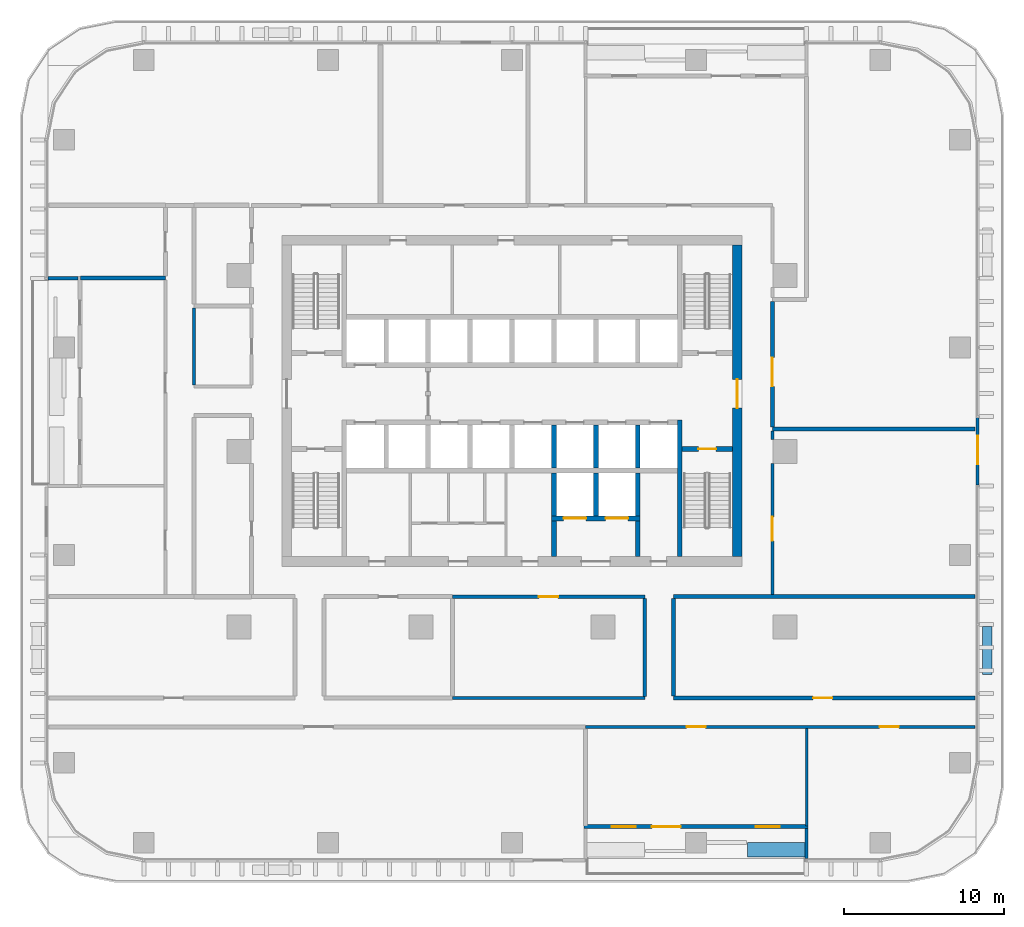
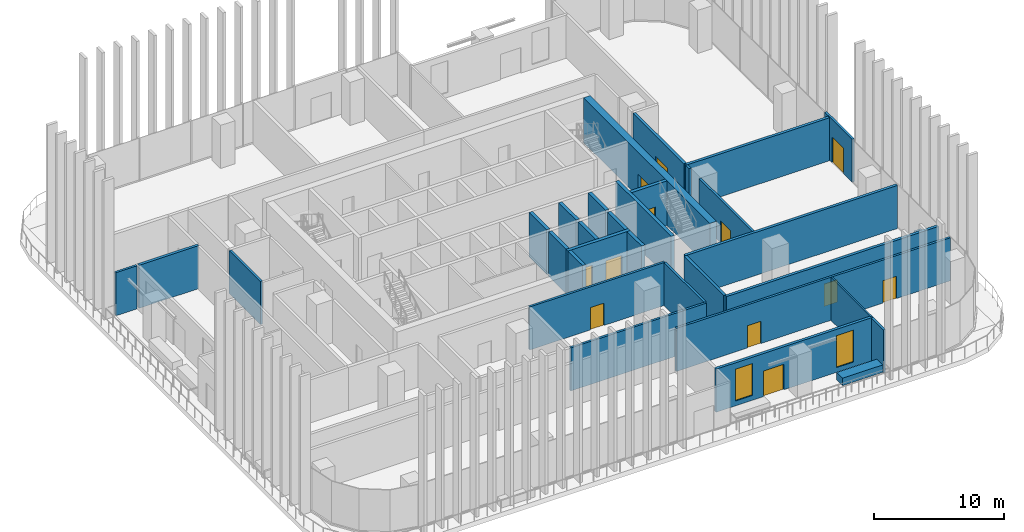
# One storey, part 9 of 18: 32 walls, 12 doors, 2 windows, 14 openings.
"""IFC4 building model written with IfcOpenShell, lengths in metres."""

from ifc_helpers import new_model, si_unit, direction, frame, frame_2d, origin, place, context, subcontext, project, spatial, rectangle, extrude, material, layer, layer_set, type_object, element, fill, save


model = new_model("IFC4")

# Units and contexts
model_context = context("Model", 3, precision=1e-05, world=origin(), true_north=direction((0.0, 1.0)))
body_context = subcontext(model_context, "Body", "Model", "MODEL_VIEW")
ifc_project = project(units=[si_unit("LENGTHUNIT", "METRE"), si_unit("AREAUNIT", "SQUARE_METRE"), si_unit("VOLUMEUNIT", "CUBIC_METRE"), si_unit("PLANEANGLEUNIT", "RADIAN"), si_unit("MASSUNIT", "GRAM", prefix="KILO")], contexts=[model_context])

# Site, building, storey
site_placement = place(None, origin())
site = spatial("IfcSite", under=ifc_project, at=site_placement, CompositionType="ELEMENT")
building_placement = place(site_placement, origin())
building = spatial("IfcBuilding", under=site, at=building_placement, Name="Mopane Tessera Tower", CompositionType="ELEMENT")
storey_placement = place(building_placement, frame((0.0, 0.0, 94.60009765625)))
storey = spatial("IfcBuildingStorey", under=building, at=storey_placement, Name="L18", CompositionType="ELEMENT", Elevation=94.60009765625)

# Wall, opening, door
ifc_material_1 = material(Name="Concrete C70/85", Category="concrete")
ifc_layer_1 = layer(ifc_material_1, 0.60009765625)
ifc_layer_set_1 = layer_set([ifc_layer_1], Name="Concrete C70/85")
wall_type_1 = type_object("IfcWallType", Name="Core shear wall 600 mm", PredefinedType="SHEAR", material=ifc_layer_set_1)
wall_1_placement = place(storey_placement, frame((14.10009765625, -6.60009765625, 0.0), z_axis=(0.0, 0.0, 1.0), x_axis=(0.0, 1.0, 0.0)))
wall_1 = element("IfcWall", 1, at=wall_1_placement, inside=storey, type_object=wall_type_1, Name="L18 Core wall east", PredefinedType="SHEAR", context=body_context, shape_type="SweptSolid", body=[
    extrude(rectangle(XDim=19.5, YDim=0.60009765625, at=frame_2d((9.75, 0.0))), origin(), (0.0, 0.0, 1.0), 4.199951171875),
])
opening_1_placement = place(wall_1_placement, frame((9.300048828125, 0.0, 0.0)))
opening_1 = element("IfcOpeningElement", 2, at=opening_1_placement, cuts=wall_1, Name="Opening SD2", PredefinedType="OPENING", context=body_context, shape_type="SweptSolid", body=[
    extrude(rectangle(XDim=1.800048828125, YDim=2.10009765625, at=frame_2d((0.89990234375, 1.050048828125))), frame((0.0, 0.31201171875, 0.0), z_axis=(0.0, -1.0, 0.0), x_axis=(1.0, 0.0, 0.0)), (0.0, 0.0, 1.0), 0.6240234375),
])
ifc_material_2 = material(Name="Steel fire door", Category="steel")
door_type_1 = type_object("IfcDoorType", Name="Core entrance double door 1800 x 2100", OperationType="DOUBLE_DOOR_SINGLE_SWING", PredefinedType="DOOR", material=ifc_material_2)
door_1_placement = place(opening_1_placement, origin())
door_1 = element("IfcDoor", 3, at=door_1_placement, inside=storey, type_object=door_type_1, Name="L18 Core entrance door east", OperationType="DOUBLE_DOOR_SINGLE_SWING", OverallHeight=2.10009765625, OverallWidth=1.800048828125, PredefinedType="DOOR", context=body_context, shape_type="SweptSolid", body=[
    extrude(rectangle(XDim=1.800048828125, YDim=2.10009765625, at=frame_2d((0.89990234375, 1.050048828125))), frame((0.0, 0.02490234375, 0.0), z_axis=(0.0, -1.0, 0.0), x_axis=(1.0, 0.0, 0.0)), (0.0, 0.0, 1.0), 0.050048828125),
])
fill(opening_1, door_1)

# Wall
ifc_material_3 = material(Name="Concrete C60/75", Category="concrete")
ifc_layer_2 = layer(ifc_material_3, 0.300048828125)
ifc_layer_set_2 = layer_set([ifc_layer_2], Name="Concrete C60/75")
wall_type_2 = type_object("IfcWallType", Name="Core spine wall 300 mm", PredefinedType="SHEAR", material=ifc_layer_set_2)
wall_2_placement = place(storey_placement, frame((10.5, -6.60009765625, 0.0), z_axis=(0.0, 0.0, 1.0), x_axis=(0.0, 1.0, 0.0)))
element("IfcWall", 4, at=wall_2_placement, inside=storey, type_object=wall_type_2, Name="L18 Core spine wall", PredefinedType="SHEAR", context=body_context, shape_type="SweptSolid", body=[
    extrude(rectangle(XDim=8.550048828125, YDim=0.300048828125, at=frame_2d((4.27490234375, 0.0))), origin(), (0.0, 0.0, 1.0), 4.199951171875),
])

# Wall, openings, doors
ifc_material_4 = material(Name="Gypsum board on steel studs, two layers each face, mineral wool infill", Category="steel")
ifc_layer_3 = layer(ifc_material_4, 0.199951171875)
ifc_layer_set_3 = layer_set([ifc_layer_3], Name="Gypsum board on steel studs, two layers each face, mineral wool infill")
wall_type_3 = type_object("IfcWallType", Name="Gypsum board corridor wall 200, rated EI 60", PredefinedType="PARTITIONING", material=ifc_layer_set_3)
wall_3_placement = place(storey_placement, frame((4.610107421875, -17.25, 0.0), z_axis=(0.0, 0.0, 1.0), x_axis=(1.0, 0.0, 0.0)))
wall_3 = element("IfcWall", 5, at=wall_3_placement, inside=storey, type_object=wall_type_3, Name="Partition L18:000", PredefinedType="PARTITIONING", context=body_context, shape_type="SweptSolid", body=[
    extrude(rectangle(XDim=24.389892578125, YDim=0.199951171875, at=frame_2d((12.19482421875, 0.0))), origin(), (0.0, 0.0, 1.0), 4.0498046875),
])
opening_2_placement = place(wall_3_placement, frame((6.31494140625, 0.0, 0.0)))
opening_2 = element("IfcOpeningElement", 6, at=opening_2_placement, cuts=wall_3, Name="Opening L18-16", PredefinedType="OPENING", context=body_context, shape_type="SweptSolid", body=[
    extrude(rectangle(XDim=1.199951171875, YDim=2.10009765625, at=frame_2d((0.60009765625, 1.050048828125))), frame((0.0, 0.112060546875, 0.0), z_axis=(0.0, -1.0, 0.0), x_axis=(1.0, 0.0, 0.0)), (0.0, 0.0, 1.0), 0.223876953125),
])
opening_3_placement = place(wall_3_placement, frame((18.409912109375, 0.0, 0.0)))
opening_3 = element("IfcOpeningElement", 7, at=opening_3_placement, cuts=wall_3, Name="Opening L18-19", PredefinedType="OPENING", context=body_context, shape_type="SweptSolid", body=[
    extrude(rectangle(XDim=1.199951171875, YDim=2.10009765625, at=frame_2d((0.60009765625, 1.050048828125))), frame((0.0, 0.112060546875, 0.0), z_axis=(0.0, -1.0, 0.0), x_axis=(1.0, 0.0, 0.0)), (0.0, 0.0, 1.0), 0.223876953125),
])
ifc_material_5 = material(Name="Timber veneered steel-framed fire door", Category="steel")
door_type_2 = type_object("IfcDoorType", Name="Fire door FD60 1200 x 2100", OperationType="SINGLE_SWING_LEFT", PredefinedType="DOOR", material=ifc_material_5)
door_2_placement = place(opening_2_placement, origin())
door_2 = element("IfcDoor", 8, at=door_2_placement, inside=storey, type_object=door_type_2, Name="Door L18-16", ObjectType="D15A", OperationType="SINGLE_SWING_RIGHT", OverallHeight=2.10009765625, OverallWidth=1.199951171875, PredefinedType="DOOR", context=body_context, shape_type="SweptSolid", body=[
    extrude(rectangle(XDim=1.199951171875, YDim=2.10009765625, at=frame_2d((0.60009765625, 1.050048828125))), frame((0.0, 0.02490234375, 0.0), z_axis=(0.0, -1.0, 0.0), x_axis=(1.0, 0.0, 0.0)), (0.0, 0.0, 1.0), 0.050048828125),
])
fill(opening_2, door_2)
door_3_placement = place(opening_3_placement, origin())
door_3 = element("IfcDoor", 9, at=door_3_placement, inside=storey, type_object=door_type_2, Name="Door L18-19", ObjectType="D15A", OperationType="SINGLE_SWING_LEFT", OverallHeight=2.10009765625, OverallWidth=1.199951171875, PredefinedType="DOOR", context=body_context, shape_type="SweptSolid", body=[
    extrude(rectangle(XDim=1.199951171875, YDim=2.10009765625, at=frame_2d((0.60009765625, 1.050048828125))), frame((0.0, 0.02490234375, 0.0), z_axis=(0.0, -1.0, 0.0), x_axis=(1.0, 0.0, 0.0)), (0.0, 0.0, 1.0), 0.050048828125),
])
fill(opening_3, door_3)

# Wall
wall_4_placement = place(storey_placement, frame((-3.735107421875, -15.449951171875, 0.0), z_axis=(0.0, 0.0, 1.0), x_axis=(1.0, 0.0, 0.0)))
element("IfcWall", 10, at=wall_4_placement, inside=storey, type_object=wall_type_3, Name="Partition L18:002", PredefinedType="PARTITIONING", context=body_context, shape_type="SweptSolid", body=[
    extrude(rectangle(XDim=12.050048828125, YDim=0.199951171875, at=frame_2d((6.02490234375, 0.0))), origin(), (0.0, 0.0, 1.0), 4.0498046875),
])

# Wall, opening, door
wall_5_placement = place(storey_placement, frame((-3.735107421875, -9.10009765625, 0.0), z_axis=(0.0, 0.0, 1.0), x_axis=(1.0, 0.0, 0.0)))
wall_5 = element("IfcWall", 11, at=wall_5_placement, inside=storey, type_object=wall_type_3, Name="Partition L18:006", PredefinedType="PARTITIONING", context=body_context, shape_type="SweptSolid", body=[
    extrude(rectangle(XDim=12.050048828125, YDim=0.199951171875, at=frame_2d((6.02490234375, 0.0))), origin(), (0.0, 0.0, 1.0), 4.0498046875),
])
opening_4_placement = place(wall_5_placement, frame((5.425048828125, 0.0, 0.0)))
opening_4 = element("IfcOpeningElement", 12, at=opening_4_placement, cuts=wall_5, Name="Opening L18-11", PredefinedType="OPENING", context=body_context, shape_type="SweptSolid", body=[
    extrude(rectangle(XDim=1.199951171875, YDim=2.10009765625, at=frame_2d((0.60009765625, 1.050048828125))), frame((0.0, 0.112060546875, 0.0), z_axis=(0.0, -1.0, 0.0), x_axis=(1.0, 0.0, 0.0)), (0.0, 0.0, 1.0), 0.223876953125),
])
door_4_placement = place(opening_4_placement, origin())
door_4 = element("IfcDoor", 13, at=door_4_placement, inside=storey, type_object=door_type_2, Name="Door L18-11", ObjectType="D15A", OperationType="SINGLE_SWING_LEFT", OverallHeight=2.10009765625, OverallWidth=1.199951171875, PredefinedType="DOOR", context=body_context, shape_type="SweptSolid", body=[
    extrude(rectangle(XDim=1.199951171875, YDim=2.10009765625, at=frame_2d((0.60009765625, 1.050048828125))), frame((0.0, 0.02490234375, 0.0), z_axis=(0.0, -1.0, 0.0), x_axis=(1.0, 0.0, 0.0)), (0.0, 0.0, 1.0), 0.050048828125),
])
fill(opening_4, door_4)

# Walls
wall_6_placement = place(storey_placement, frame((-19.89990234375, 4.14990234375, 0.0), z_axis=(0.0, 0.0, 1.0), x_axis=(0.0, 1.0, 0.0)))
element("IfcWall", 14, at=wall_6_placement, inside=storey, type_object=wall_type_3, Name="Partition L18:026", PredefinedType="PARTITIONING", context=body_context, shape_type="SweptSolid", body=[
    extrude(rectangle(XDim=4.81005859375, YDim=0.199951171875, at=frame_2d((2.405029296875, 0.0))), origin(), (0.0, 0.0, 1.0), 4.0498046875),
])
wall_7_placement = place(storey_placement, frame((8.31494140625, -15.35009765625, 0.0), z_axis=(0.0, 0.0, 1.0), x_axis=(0.0, 1.0, 0.0)))
element("IfcWall", 15, at=wall_7_placement, inside=storey, type_object=wall_type_3, Name="Partition L18:041", PredefinedType="PARTITIONING", context=body_context, shape_type="SweptSolid", body=[
    extrude(rectangle(XDim=6.150146484375, YDim=0.199951171875, at=frame_2d((3.0751953125, 0.0))), origin(), (0.0, 0.0, 1.0), 4.0498046875),
])

# Wall, opening, door
wall_8_placement = place(storey_placement, frame((16.300048828125, -8.97509765625, 0.0), z_axis=(0.0, 0.0, 1.0), x_axis=(0.0, 1.0, 0.0)))
wall_8 = element("IfcWall", 16, at=wall_8_placement, inside=storey, type_object=wall_type_3, Name="Partition L18:043", PredefinedType="PARTITIONING", context=body_context, shape_type="SweptSolid", body=[
    extrude(rectangle(XDim=8.22509765625, YDim=0.199951171875, at=frame_2d((4.112548828125, 0.0))), origin(), (0.0, 0.0, 1.0), 4.0498046875),
])
opening_5_placement = place(wall_8_placement, frame((3.362548828125, 0.0, 0.0)))
opening_5 = element("IfcOpeningElement", 17, at=opening_5_placement, cuts=wall_8, Name="Opening L18-18", PredefinedType="OPENING", context=body_context, shape_type="SweptSolid", body=[
    extrude(rectangle(XDim=1.5, YDim=2.10009765625, at=frame_2d((0.75, 1.050048828125))), frame((0.0, 0.112060546875, 0.0), z_axis=(0.0, -1.0, 0.0), x_axis=(1.0, 0.0, 0.0)), (0.0, 0.0, 1.0), 0.223876953125),
])
ifc_material_6 = material(Name="Timber veneered steel-framed fire door", Category="steel")
door_type_3 = type_object("IfcDoorType", Name="Fire door pair FD60 1500 x 2100", OperationType="DOUBLE_DOOR_SINGLE_SWING", PredefinedType="DOOR", material=ifc_material_6)
door_5_placement = place(opening_5_placement, origin())
door_5 = element("IfcDoor", 18, at=door_5_placement, inside=storey, type_object=door_type_3, Name="Door L18-18", ObjectType="D17A", OperationType="DOUBLE_DOOR_SINGLE_SWING", OverallHeight=2.10009765625, OverallWidth=1.5, PredefinedType="DOOR", context=body_context, shape_type="SweptSolid", body=[
    extrude(rectangle(XDim=1.5, YDim=2.10009765625, at=frame_2d((0.75, 1.050048828125))), frame((0.0, 0.02490234375, 0.0), z_axis=(0.0, -1.0, 0.0), x_axis=(1.0, 0.0, 0.0)), (0.0, 0.0, 1.0), 0.050048828125),
])
fill(opening_5, door_5)

# Walls
wall_9_placement = place(storey_placement, frame((16.300048828125, 0.75, 0.0), z_axis=(0.0, 0.0, 1.0), x_axis=(0.0, 1.0, 0.0)))
element("IfcWall", 19, at=wall_9_placement, inside=storey, type_object=wall_type_3, Name="Partition L18:044", PredefinedType="PARTITIONING", context=body_context, shape_type="SweptSolid", body=[
    extrude(rectangle(XDim=0.52490234375, YDim=0.199951171875, at=frame_2d((0.262451171875, 0.0))), origin(), (0.0, 0.0, 1.0), 4.0498046875),
])
ifc_material_7 = material(Name="Gypsum board on steel studs, mineral wool infill", Category="steel")
ifc_layer_4 = layer(ifc_material_7, 0.14990234375)
ifc_layer_set_4 = layer_set([ifc_layer_4], Name="Gypsum board on steel studs, mineral wool infill")
wall_type_4 = type_object("IfcWallType", Name="Gypsum board partition 150, rated EI 60", PredefinedType="PARTITIONING", material=ifc_layer_set_4)
wall_10_placement = place(storey_placement, frame((18.43994140625, -23.449951171875, 0.0), z_axis=(0.0, 0.0, 1.0), x_axis=(0.0, 1.0, 0.0)))
element("IfcWall", 20, at=wall_10_placement, inside=storey, type_object=wall_type_4, Name="Partition L18:048", PredefinedType="PARTITIONING", context=body_context, shape_type="SweptSolid", body=[
    extrude(rectangle(XDim=6.099853515625, YDim=0.14990234375, at=frame_2d((3.0498046875, 0.0))), origin(), (0.0, 0.0, 1.0), 4.0498046875),
])

# Wall, opening, door
ifc_material_8 = material(Name="Concrete C50/60", Category="concrete")
ifc_layer_5 = layer(ifc_material_8, 0.300048828125)
ifc_layer_set_5 = layer_set([ifc_layer_5], Name="Concrete C50/60")
wall_type_5 = type_object("IfcWallType", Name="Lift and stair shaft wall 300 mm", PredefinedType="SOLIDWALL", material=ifc_layer_set_5)
wall_11_placement = place(storey_placement, frame((10.64990234375, 0.14990234375, 0.0), z_axis=(0.0, 0.0, 1.0), x_axis=(1.0, 0.0, 0.0)))
wall_11 = element("IfcWall", 21, at=wall_11_placement, inside=storey, type_object=wall_type_5, Name="L18 Stair enclosure wall", PredefinedType="SOLIDWALL", context=body_context, shape_type="SweptSolid", body=[
    extrude(rectangle(XDim=3.150146484375, YDim=0.300048828125, at=frame_2d((1.5751953125, 0.0))), origin(), (0.0, 0.0, 1.0), 4.199951171875),
])
opening_6_placement = place(wall_11_placement, frame((1.02490234375, 0.0, 0.0)))
opening_6 = element("IfcOpeningElement", 22, at=opening_6_placement, cuts=wall_11, Name="Opening SD1", PredefinedType="OPENING", context=body_context, shape_type="SweptSolid", body=[
    extrude(rectangle(XDim=1.10009765625, YDim=2.10009765625, at=frame_2d((0.550048828125, 1.050048828125))), frame((0.0, 0.162109375, 0.0), z_axis=(0.0, -1.0, 0.0), x_axis=(1.0, 0.0, 0.0)), (0.0, 0.0, 1.0), 0.323974609375),
])
ifc_material_9 = material(Name="Steel fire door", Category="steel")
door_type_4 = type_object("IfcDoorType", Name="Stair fire door 1100 x 2100", OperationType="SINGLE_SWING_LEFT", PredefinedType="DOOR", material=ifc_material_9)
door_6_placement = place(opening_6_placement, origin())
door_6 = element("IfcDoor", 23, at=door_6_placement, inside=storey, type_object=door_type_4, Name="L18 Stair door ST3", OperationType="SINGLE_SWING_RIGHT", OverallHeight=2.10009765625, OverallWidth=1.10009765625, PredefinedType="DOOR", context=body_context, shape_type="SweptSolid", body=[
    extrude(rectangle(XDim=1.10009765625, YDim=2.10009765625, at=frame_2d((0.550048828125, 1.050048828125))), frame((0.0, 0.02490234375, 0.0), z_axis=(0.0, -1.0, 0.0), x_axis=(1.0, 0.0, 0.0)), (0.0, 0.0, 1.0), 0.050048828125),
])
fill(opening_6, door_6)

# Walls
for number, where, z_axis, x_axis, name in (
    (24, (2.625, -1.050048828125, 0.0), (0.0, 0.0, 1.0), (0.0, 1.0, 0.0), "L18 Lift shaft wall"),
    (25, (5.25, -1.050048828125, 0.0), (0.0, 0.0, 1.0), (0.0, 1.0, 0.0), "L18 Lift shaft wall"),
    (26, (7.875, -1.050048828125, 0.0), (0.0, 0.0, 1.0), (0.0, 1.0, 0.0), "L18 Lift shaft wall"),
):
    element("IfcWall", number, at=place(storey_placement, frame(where, z_axis=z_axis, x_axis=x_axis)), inside=storey, type_object=wall_type_5, Name=name, PredefinedType="SOLIDWALL", context=body_context, shape_type="SweptSolid", body=[
        extrude(rectangle(XDim=2.699951171875, YDim=0.300048828125, at=frame_2d((1.35009765625, 0.0))), origin(), (0.0, 0.0, 1.0), 4.199951171875),
    ])

# Wall, openings, doors
wall_12_placement = place(storey_placement, frame((2.47509765625, -4.199951171875, 0.0), z_axis=(0.0, 0.0, 1.0), x_axis=(1.0, 0.0, 0.0)))
wall_12 = element("IfcWall", 27, at=wall_12_placement, inside=storey, type_object=wall_type_5, Name="L18 Lift shaft front wall", PredefinedType="SOLIDWALL", context=body_context, shape_type="SweptSolid", body=[
    extrude(rectangle(XDim=5.5498046875, YDim=0.300048828125, at=frame_2d((2.77490234375, 0.0))), origin(), (0.0, 0.0, 1.0), 4.199951171875),
])
opening_7_placement = place(wall_12_placement, frame((0.762451171875, 0.0, 0.0)))
opening_7 = element("IfcOpeningElement", 28, at=opening_7_placement, cuts=wall_12, Name="Opening LD3", PredefinedType="OPENING", context=body_context, shape_type="SweptSolid", body=[
    extrude(rectangle(XDim=1.39990234375, YDim=2.10009765625, at=frame_2d((0.699951171875, 1.050048828125))), frame((0.0, 0.162109375, 0.0), z_axis=(0.0, -1.0, 0.0), x_axis=(1.0, 0.0, 0.0)), (0.0, 0.0, 1.0), 0.323974609375),
])
opening_8_placement = place(wall_12_placement, frame((3.387451171875, 0.0, 0.0)))
opening_8 = element("IfcOpeningElement", 29, at=opening_8_placement, cuts=wall_12, Name="Opening LD3", PredefinedType="OPENING", context=body_context, shape_type="SweptSolid", body=[
    extrude(rectangle(XDim=1.39990234375, YDim=2.10009765625, at=frame_2d((0.699951171875, 1.050048828125))), frame((0.0, 0.162109375, 0.0), z_axis=(0.0, -1.0, 0.0), x_axis=(1.0, 0.0, 0.0)), (0.0, 0.0, 1.0), 0.323974609375),
])
ifc_material_10 = material(Name="Stainless steel sliding door", Category="steel")
door_type_5 = type_object("IfcDoorType", Name="Service lift landing door 1400 x 2100", OperationType="DOUBLE_DOOR_SLIDING", PredefinedType="DOOR", material=ifc_material_10)
door_7_placement = place(opening_7_placement, origin())
door_7 = element("IfcDoor", 30, at=door_7_placement, inside=storey, type_object=door_type_5, Name="L18 Lift landing door SV1", OperationType="DOUBLE_DOOR_SLIDING", OverallHeight=2.10009765625, OverallWidth=1.39990234375, PredefinedType="DOOR", context=body_context, shape_type="SweptSolid", body=[
    extrude(rectangle(XDim=1.39990234375, YDim=2.10009765625, at=frame_2d((0.699951171875, 1.050048828125))), frame((0.0, 0.02490234375, 0.0), z_axis=(0.0, -1.0, 0.0), x_axis=(1.0, 0.0, 0.0)), (0.0, 0.0, 1.0), 0.050048828125),
])
fill(opening_7, door_7)
door_8_placement = place(opening_8_placement, origin())
door_8 = element("IfcDoor", 31, at=door_8_placement, inside=storey, type_object=door_type_5, Name="L18 Lift landing door SV2", OperationType="DOUBLE_DOOR_SLIDING", OverallHeight=2.10009765625, OverallWidth=1.39990234375, PredefinedType="DOOR", context=body_context, shape_type="SweptSolid", body=[
    extrude(rectangle(XDim=1.39990234375, YDim=2.10009765625, at=frame_2d((0.699951171875, 1.050048828125))), frame((0.0, 0.02490234375, 0.0), z_axis=(0.0, -1.0, 0.0), x_axis=(1.0, 0.0, 0.0)), (0.0, 0.0, 1.0), 0.050048828125),
])
fill(opening_8, door_8)

# Walls
for number, where, z_axis, x_axis, name in (
    (32, (2.625, -4.050048828125, 0.0), (0.0, 0.0, 1.0), (0.0, 1.0, 0.0), "L18 Lift shaft wall"),
    (33, (5.25, -4.050048828125, 0.0), (0.0, 0.0, 1.0), (0.0, 1.0, 0.0), "L18 Lift shaft wall"),
    (34, (7.875, -4.050048828125, 0.0), (0.0, 0.0, 1.0), (0.0, 1.0, 0.0), "L18 Lift shaft wall"),
):
    element("IfcWall", number, at=place(storey_placement, frame(where, z_axis=z_axis, x_axis=x_axis)), inside=storey, type_object=wall_type_5, Name=name, PredefinedType="SOLIDWALL", context=body_context, shape_type="SweptSolid", body=[
        extrude(rectangle(XDim=2.699951171875, YDim=0.300048828125, at=frame_2d((1.35009765625, 0.0))), origin(), (0.0, 0.0, 1.0), 4.199951171875),
    ])
ifc_material_11 = material(Name="Concrete C50/60", Category="concrete")
ifc_layer_6 = layer(ifc_material_11, 0.300048828125)
ifc_layer_set_6 = layer_set([ifc_layer_6], Name="Concrete C50/60")
wall_type_6 = type_object("IfcWallType", Name="Lobby and refuge room wall 300 mm", PredefinedType="SOLIDWALL", material=ifc_layer_set_6)
for number, where, z_axis, x_axis, name in (
    (35, (2.625, -6.60009765625, 0.0), (0.0, 0.0, 1.0), (0.0, 1.0, 0.0), "L18 Service lobby wall"),
    (36, (7.875, -6.60009765625, 0.0), (0.0, 0.0, 1.0), (0.0, 1.0, 0.0), "L18 Service lobby wall"),
):
    element("IfcWall", number, at=place(storey_placement, frame(where, z_axis=z_axis, x_axis=x_axis)), inside=storey, type_object=wall_type_6, Name=name, PredefinedType="SOLIDWALL", context=body_context, shape_type="SweptSolid", body=[
        extrude(rectangle(XDim=2.25, YDim=0.300048828125, at=frame_2d((1.125, 0.0))), origin(), (0.0, 0.0, 1.0), 4.199951171875),
    ])
ifc_material_12 = material(Name="Reinforced concrete C32/40 with waterproofing", Category="concrete")
ifc_layer_7 = layer(ifc_material_12, 0.60009765625)
ifc_layer_set_7 = layer_set([ifc_layer_7], Name="Reinforced concrete C32/40 with waterproofing")
wall_type_7 = type_object("IfcWallType", Name="Planter trough 3000 x 600", PredefinedType="STANDARD", material=ifc_layer_set_7)
wall_13_placement = place(storey_placement, frame((29.75, -13.97998046875, 0.0), z_axis=(0.0, 0.0, 1.0), x_axis=(0.0, 1.0, 0.0)))
element("IfcWall", 37, at=wall_13_placement, inside=storey, type_object=wall_type_7, Name="e:sp:L18:E0", PredefinedType="STANDARD", context=body_context, shape_type="SweptSolid", body=[
    extrude(rectangle(XDim=3.0, YDim=0.60009765625, at=frame_2d((1.5, 0.0))), origin(), (0.0, 0.0, 1.0), 0.699951171875),
])
ifc_material_13 = material(Name="Reinforced concrete C32/40 with waterproofing", Category="concrete")
ifc_layer_8 = layer(ifc_material_13, 0.89990234375)
ifc_layer_set_8 = layer_set([ifc_layer_8], Name="Reinforced concrete C32/40 with waterproofing")
wall_type_8 = type_object("IfcWallType", Name="Planter trough 3600 x 900", PredefinedType="STANDARD", material=ifc_layer_set_8)
wall_14_placement = place(storey_placement, frame((14.739990234375, -24.949951171875, 0.0), z_axis=(0.0, 0.0, 1.0), x_axis=(1.0, 0.0, 0.0)))
element("IfcWall", 38, at=wall_14_placement, inside=storey, type_object=wall_type_8, Name="e:nw:L18:N3:pl1", PredefinedType="STANDARD", context=body_context, shape_type="SweptSolid", body=[
    extrude(rectangle(XDim=3.60009765625, YDim=0.89990234375, at=frame_2d((1.800048828125, 0.0))), origin(), (0.0, 0.0, 1.0), 0.699951171875),
])

# Wall, opening, door
ifc_material_14 = material(Name="Plastered concrete blockwork C20/25", Category="masonry")
ifc_layer_9 = layer(ifc_material_14, 0.25)
ifc_layer_set_9 = layer_set([ifc_layer_9], Name="Plastered concrete blockwork C20/25")
wall_type_9 = type_object("IfcWallType", Name="Plastered blockwork wall 250, rated EI 120", PredefinedType="PARTITIONING", material=ifc_layer_set_9)
wall_15_placement = place(storey_placement, frame((10.114990234375, -15.449951171875, 0.0), z_axis=(0.0, 0.0, 1.0), x_axis=(1.0, 0.0, 0.0)))
wall_15 = element("IfcWall", 39, at=wall_15_placement, inside=storey, type_object=wall_type_9, Name="Partition L18:005", PredefinedType="PARTITIONING", context=body_context, shape_type="SweptSolid", body=[
    extrude(rectangle(XDim=18.885009765625, YDim=0.25, at=frame_2d((9.4423828125, 0.0))), origin(), (0.0, 0.0, 1.0), 4.0498046875),
])
opening_9_placement = place(wall_15_placement, frame((8.742431640625, 0.0, 0.0)))
opening_9 = element("IfcOpeningElement", 40, at=opening_9_placement, cuts=wall_15, Name="Opening L18-02", PredefinedType="OPENING", context=body_context, shape_type="SweptSolid", body=[
    extrude(rectangle(XDim=1.199951171875, YDim=2.10009765625, at=frame_2d((0.60009765625, 1.050048828125))), frame((0.0, 0.136962890625, 0.0), z_axis=(0.0, -1.0, 0.0), x_axis=(1.0, 0.0, 0.0)), (0.0, 0.0, 1.0), 0.27392578125),
])
ifc_material_15 = material(Name="Timber veneered steel-framed fire door", Category="steel")
door_type_6 = type_object("IfcDoorType", Name="Fire door FD120 1200 x 2100", OperationType="SINGLE_SWING_LEFT", PredefinedType="DOOR", material=ifc_material_15)
door_9_placement = place(opening_9_placement, origin())
door_9 = element("IfcDoor", 41, at=door_9_placement, inside=storey, type_object=door_type_6, Name="Door L18-02", ObjectType="D15B", OperationType="SINGLE_SWING_RIGHT", OverallHeight=2.10009765625, OverallWidth=1.199951171875, PredefinedType="DOOR", context=body_context, shape_type="SweptSolid", body=[
    extrude(rectangle(XDim=1.199951171875, YDim=2.10009765625, at=frame_2d((0.60009765625, 1.050048828125))), frame((0.0, 0.02490234375, 0.0), z_axis=(0.0, -1.0, 0.0), x_axis=(1.0, 0.0, 0.0)), (0.0, 0.0, 1.0), 0.050048828125),
])
fill(opening_9, door_9)

# Walls
wall_16_placement = place(storey_placement, frame((10.114990234375, -9.10009765625, 0.0), z_axis=(0.0, 0.0, 1.0), x_axis=(1.0, 0.0, 0.0)))
element("IfcWall", 42, at=wall_16_placement, inside=storey, type_object=wall_type_9, Name="Partition L18:010", PredefinedType="PARTITIONING", context=body_context, shape_type="SweptSolid", body=[
    extrude(rectangle(XDim=18.885009765625, YDim=0.25, at=frame_2d((9.4423828125, 0.0))), origin(), (0.0, 0.0, 1.0), 4.0498046875),
])
wall_17_placement = place(storey_placement, frame((16.300048828125, 1.39990234375, 0.0), z_axis=(0.0, 0.0, 1.0), x_axis=(1.0, 0.0, 0.0)))
element("IfcWall", 43, at=wall_17_placement, inside=storey, type_object=wall_type_9, Name="Partition L18:013", PredefinedType="PARTITIONING", context=body_context, shape_type="SweptSolid", body=[
    extrude(rectangle(XDim=12.699951171875, YDim=0.25, at=frame_2d((6.35009765625, 0.0))), origin(), (0.0, 0.0, 1.0), 4.0498046875),
])
wall_18_placement = place(storey_placement, frame((-27.0, 10.8349609375, 0.0), z_axis=(0.0, 0.0, 1.0), x_axis=(1.0, 0.0, 0.0)))
element("IfcWall", 44, at=wall_18_placement, inside=storey, type_object=wall_type_9, Name="Partition L18:018", PredefinedType="PARTITIONING", context=body_context, shape_type="SweptSolid", body=[
    extrude(rectangle(XDim=5.300048828125, YDim=0.25, at=frame_2d((2.64990234375, 0.0))), origin(), (0.0, 0.0, 1.0), 4.0498046875),
])
wall_19_placement = place(storey_placement, frame((10.114990234375, -15.324951171875, 0.0), z_axis=(0.0, 0.0, 1.0), x_axis=(0.0, 1.0, 0.0)))
element("IfcWall", 45, at=wall_19_placement, inside=storey, type_object=wall_type_9, Name="Partition L18:042", PredefinedType="PARTITIONING", context=body_context, shape_type="SweptSolid", body=[
    extrude(rectangle(XDim=6.099853515625, YDim=0.25, at=frame_2d((3.0498046875, 0.0))), origin(), (0.0, 0.0, 1.0), 4.0498046875),
])

# Wall, opening, door
wall_20_placement = place(storey_placement, frame((16.300048828125, 1.52490234375, 0.0), z_axis=(0.0, 0.0, 1.0), x_axis=(0.0, 1.0, 0.0)))
wall_20 = element("IfcWall", 46, at=wall_20_placement, inside=storey, type_object=wall_type_9, Name="Partition L18:047", PredefinedType="PARTITIONING", context=body_context, shape_type="SweptSolid", body=[
    extrude(rectangle(XDim=7.85009765625, YDim=0.25, at=frame_2d((3.925048828125, 0.0))), origin(), (0.0, 0.0, 1.0), 4.0498046875),
])
opening_10_placement = place(wall_20_placement, frame((2.53759765625, 0.0, 0.0)))
opening_10 = element("IfcOpeningElement", 47, at=opening_10_placement, cuts=wall_20, Name="Opening L18-03", PredefinedType="OPENING", context=body_context, shape_type="SweptSolid", body=[
    extrude(rectangle(XDim=1.800048828125, YDim=2.10009765625, at=frame_2d((0.89990234375, 1.050048828125))), frame((0.0, 0.136962890625, 0.0), z_axis=(0.0, -1.0, 0.0), x_axis=(1.0, 0.0, 0.0)), (0.0, 0.0, 1.0), 0.27392578125),
])
ifc_material_16 = material(Name="Timber veneered steel-framed fire door", Category="steel")
door_type_7 = type_object("IfcDoorType", Name="Fire door pair FD120 1800 x 2100", OperationType="DOUBLE_DOOR_SINGLE_SWING", PredefinedType="DOOR", material=ifc_material_16)
door_10_placement = place(opening_10_placement, origin())
door_10 = element("IfcDoor", 48, at=door_10_placement, inside=storey, type_object=door_type_7, Name="Door L18-03", ObjectType="D20B", OperationType="DOUBLE_DOOR_SINGLE_SWING", OverallHeight=2.10009765625, OverallWidth=1.800048828125, PredefinedType="DOOR", context=body_context, shape_type="SweptSolid", body=[
    extrude(rectangle(XDim=1.800048828125, YDim=2.10009765625, at=frame_2d((0.89990234375, 1.050048828125))), frame((0.0, 0.02490234375, 0.0), z_axis=(0.0, -1.0, 0.0), x_axis=(1.0, 0.0, 0.0)), (0.0, 0.0, 1.0), 0.050048828125),
])
fill(opening_10, door_10)

# Walls
ifc_material_17 = material(Name="Blockwork with glazed tile facing", Category="masonry")
ifc_layer_10 = layer(ifc_material_17, 0.199951171875)
ifc_layer_set_10 = layer_set([ifc_layer_10], Name="Blockwork with glazed tile facing")
wall_type_10 = type_object("IfcWallType", Name="Terrace cheek wall 200", PredefinedType="STANDARD", material=ifc_layer_set_10)
for number, where, z_axis, x_axis, name in (
    (49, (-29.050048828125, 10.833251953125, 0.0), (0.0, 0.0, 1.0), (1.0, 0.0, 0.0), "e:nw:L18:N2:cheeka"),
    (50, (18.43994140625, -25.5, 0.0), (0.0, 0.0, 1.0), (0.0, 1.0, 0.0), "e:nw:L18:N3:cheekb"),
):
    element("IfcWall", number, at=place(storey_placement, frame(where, z_axis=z_axis, x_axis=x_axis)), inside=storey, type_object=wall_type_10, Name=name, PredefinedType="STANDARD", context=body_context, shape_type="SweptSolid", body=[
        extrude(rectangle(XDim=1.875, YDim=0.199951171875, at=frame_2d((0.9375, 0.0))), origin(), (0.0, 0.0, 1.0), 4.0498046875),
    ])

# Wall, openings, windows, door
ifc_material_18 = material(Name="Blockwork with turquoise glazed tile facing", Category="masonry")
ifc_layer_11 = layer(ifc_material_18, 0.25)
ifc_layer_set_11 = layer_set([ifc_layer_11], Name="Blockwork with turquoise glazed tile facing")
wall_type_11 = type_object("IfcWallType", Name="Tile-clad external wall 250, turquoise", PredefinedType="STANDARD", material=ifc_layer_set_11)
wall_21_placement = place(storey_placement, frame((4.510009765625, -23.5, 0.0), z_axis=(0.0, 0.0, 1.0), x_axis=(1.0, 0.0, 0.0)))
wall_21 = element("IfcWall", 51, at=wall_21_placement, inside=storey, type_object=wall_type_11, Name="e:nw:L18:N3:back", PredefinedType="STANDARD", context=body_context, shape_type="SweptSolid", body=[
    extrude(rectangle(XDim=14.030029296875, YDim=0.25, at=frame_2d((7.01513671875, 0.0))), origin(), (0.0, 0.0, 1.0), 4.0498046875),
])
opening_11_placement = place(wall_21_placement, frame((1.75, 0.0, 0.449951171875)))
opening_11 = element("IfcOpeningElement", 52, at=opening_11_placement, cuts=wall_21, Name="Opening NW183A", PredefinedType="OPENING", context=body_context, shape_type="SweptSolid", body=[
    extrude(rectangle(XDim=1.5, YDim=3.0, at=frame_2d((0.75, 1.5))), frame((0.0, 0.136962890625, 0.0), z_axis=(0.0, -1.0, 0.0), x_axis=(1.0, 0.0, 0.0)), (0.0, 0.0, 1.0), 0.27392578125),
])
opening_12_placement = place(wall_21_placement, frame((4.25, 0.0, 0.0)))
opening_12 = element("IfcOpeningElement", 53, at=opening_12_placement, cuts=wall_21, Name="Opening ND183", PredefinedType="OPENING", context=body_context, shape_type="SweptSolid", body=[
    extrude(rectangle(XDim=1.800048828125, YDim=2.39990234375, at=frame_2d((0.89990234375, 1.199951171875))), frame((0.0, 0.136962890625, 0.0), z_axis=(0.0, -1.0, 0.0), x_axis=(1.0, 0.0, 0.0)), (0.0, 0.0, 1.0), 0.27392578125),
])
opening_13_placement = place(wall_21_placement, frame((10.75, 0.0, 0.449951171875)))
opening_13 = element("IfcOpeningElement", 54, at=opening_13_placement, cuts=wall_21, Name="Opening NW183B", PredefinedType="OPENING", context=body_context, shape_type="SweptSolid", body=[
    extrude(rectangle(XDim=1.5, YDim=3.0, at=frame_2d((0.75, 1.5))), frame((0.0, 0.136962890625, 0.0), z_axis=(0.0, -1.0, 0.0), x_axis=(1.0, 0.0, 0.0)), (0.0, 0.0, 1.0), 0.27392578125),
])
ifc_material_19 = material(Name="Clear laminated glass", Category="glass")
window_type = type_object("IfcWindowType", Name="Fixed window 1500 x 3000", PartitioningType="SINGLE_PANEL", PredefinedType="WINDOW", material=ifc_material_19)
window_1_placement = place(opening_11_placement, origin())
window_1 = element("IfcWindow", 55, at=window_1_placement, inside=storey, type_object=window_type, Name="e:nw:L18:N3:win0", OverallHeight=3.0, OverallWidth=1.5, PartitioningType="SINGLE_PANEL", PredefinedType="WINDOW", context=body_context, shape_type="SweptSolid", body=[
    extrude(rectangle(XDim=1.5, YDim=3.0, at=frame_2d((0.75, 1.5))), frame((0.0, 0.030029296875, 0.0), z_axis=(0.0, -1.0, 0.0), x_axis=(1.0, 0.0, 0.0)), (0.0, 0.0, 1.0), 0.06005859375),
])
fill(opening_11, window_1)
window_2_placement = place(opening_13_placement, origin())
window_2 = element("IfcWindow", 56, at=window_2_placement, inside=storey, type_object=window_type, Name="e:nw:L18:N3:win2", OverallHeight=3.0, OverallWidth=1.5, PartitioningType="SINGLE_PANEL", PredefinedType="WINDOW", context=body_context, shape_type="SweptSolid", body=[
    extrude(rectangle(XDim=1.5, YDim=3.0, at=frame_2d((0.75, 1.5))), frame((0.0, 0.030029296875, 0.0), z_axis=(0.0, -1.0, 0.0), x_axis=(1.0, 0.0, 0.0)), (0.0, 0.0, 1.0), 0.06005859375),
])
fill(opening_13, window_2)
ifc_material_20 = material(Name="Aluminium and clear glass", Category="aluminium")
door_type_8 = type_object("IfcDoorType", Name="Terrace double door 1800 x 2400", OperationType="DOUBLE_DOOR_SINGLE_SWING", PredefinedType="DOOR", material=ifc_material_20)
door_11_placement = place(opening_12_placement, origin())
door_11 = element("IfcDoor", 57, at=door_11_placement, inside=storey, type_object=door_type_8, Name="e:nw:L18:N3:door", ObjectType="D1", OperationType="DOUBLE_DOOR_SINGLE_SWING", OverallHeight=2.39990234375, OverallWidth=1.800048828125, PredefinedType="DOOR", context=body_context, shape_type="SweptSolid", body=[
    extrude(rectangle(XDim=1.800048828125, YDim=2.39990234375, at=frame_2d((0.89990234375, 1.199951171875))), frame((0.0, 0.02490234375, 0.0), z_axis=(0.0, -1.0, 0.0), x_axis=(1.0, 0.0, 0.0)), (0.0, 0.0, 1.0), 0.050048828125),
])
fill(opening_12, door_11)

# Wall, opening, door
ifc_material_21 = material(Name="Blockwork with glazed tile facing", Category="masonry")
ifc_layer_12 = layer(ifc_material_21, 0.199951171875)
ifc_layer_set_12 = layer_set([ifc_layer_12], Name="Blockwork with glazed tile facing")
wall_type_12 = type_object("IfcWallType", Name="Tile-clad portal wall 200", PredefinedType="STANDARD", material=ifc_layer_set_12)
wall_22_placement = place(storey_placement, frame((29.14990234375, -2.111572265625, 0.0), z_axis=(0.0, 0.0, 1.0), x_axis=(0.0, 1.0, 0.0)))
wall_22 = element("IfcWall", 58, at=wall_22_placement, inside=storey, type_object=wall_type_12, Name="e:pw:L18:E", PredefinedType="STANDARD", context=body_context, shape_type="SweptSolid", body=[
    extrude(rectangle(XDim=4.22314453125, YDim=0.199951171875, at=frame_2d((2.111572265625, 0.0))), origin(), (0.0, 0.0, 1.0), 4.0498046875),
])
opening_14_placement = place(wall_22_placement, frame((1.294921875, 0.0, 0.0)))
opening_14 = element("IfcOpeningElement", 59, at=opening_14_placement, cuts=wall_22, Name="Opening TD18E", PredefinedType="OPENING", context=body_context, shape_type="SweptSolid", body=[
    extrude(rectangle(XDim=1.800048828125, YDim=2.39990234375, at=frame_2d((0.89990234375, 1.199951171875))), frame((0.0, 0.112060546875, 0.0), z_axis=(0.0, -1.0, 0.0), x_axis=(1.0, 0.0, 0.0)), (0.0, 0.0, 1.0), 0.223876953125),
])
door_12_placement = place(opening_14_placement, origin())
door_12 = element("IfcDoor", 60, at=door_12_placement, inside=storey, type_object=door_type_8, Name="e:pw:L18:E:door", ObjectType="D1", OperationType="DOUBLE_DOOR_SINGLE_SWING", OverallHeight=2.39990234375, OverallWidth=1.800048828125, PredefinedType="DOOR", context=body_context, shape_type="SweptSolid", body=[
    extrude(rectangle(XDim=1.800048828125, YDim=2.39990234375, at=frame_2d((0.89990234375, 1.199951171875))), frame((0.0, 0.02490234375, 0.0), z_axis=(0.0, -1.0, 0.0), x_axis=(1.0, 0.0, 0.0)), (0.0, 0.0, 1.0), 0.050048828125),
])
fill(opening_14, door_12)

save(model, "model.ifc")
